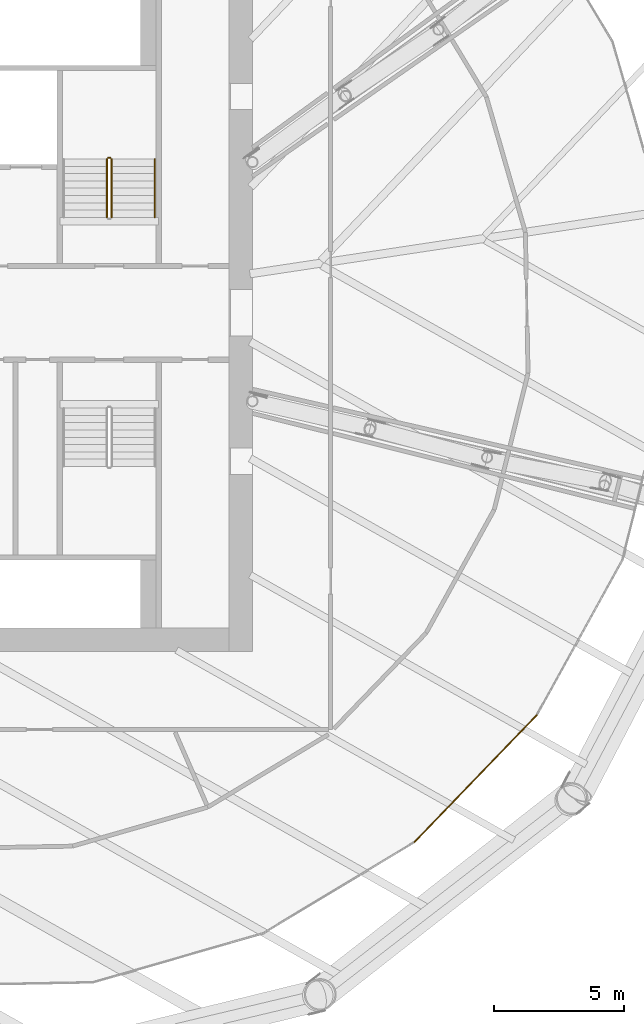
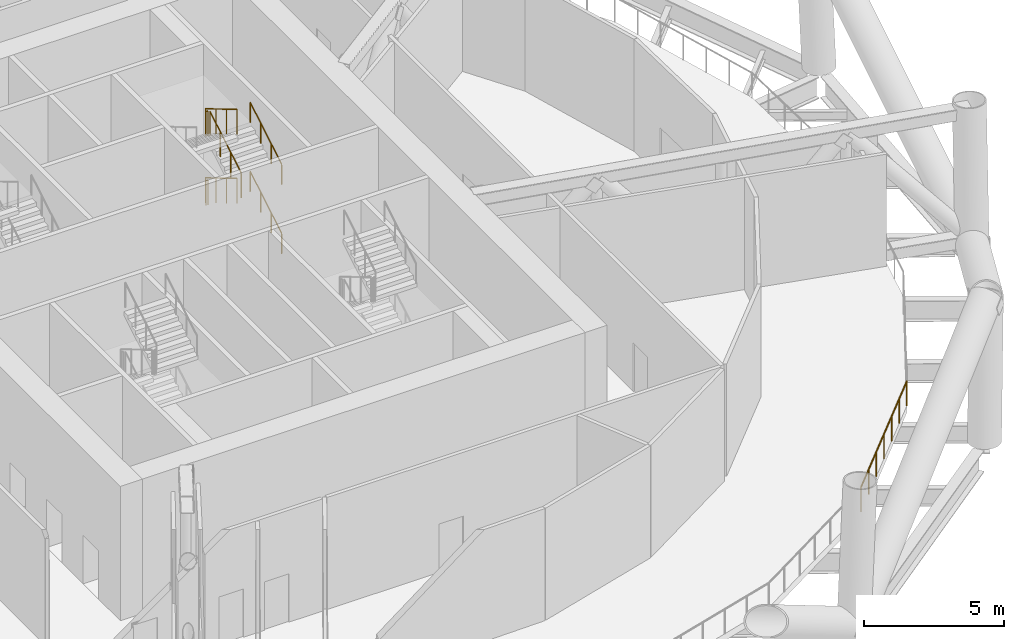
# One storey, part 36 of 39: 8 railings.
"""IFC4 building model written with IfcOpenShell, lengths in metres."""

from ifc_helpers import new_model, si_unit, direction, frame, origin, origin_2d, place, context, subcontext, project, spatial, circle, extrude, material, type_object, element, save


model = new_model("IFC4")

# Units and contexts
model_context = context("Model", 3, precision=1e-05, world=origin(), true_north=direction((0.0, 1.0)))
body_context = subcontext(model_context, "Body", "Model", "MODEL_VIEW")
ifc_project = project(units=[si_unit("LENGTHUNIT", "METRE"), si_unit("AREAUNIT", "SQUARE_METRE"), si_unit("VOLUMEUNIT", "CUBIC_METRE"), si_unit("PLANEANGLEUNIT", "RADIAN"), si_unit("MASSUNIT", "GRAM", prefix="KILO")], contexts=[model_context])

# Site, building, storey
site_placement = place(None, origin())
site = spatial("IfcSite", under=ifc_project, at=site_placement, CompositionType="ELEMENT")
building_placement = place(site_placement, origin())
building = spatial("IfcBuilding", under=site, at=building_placement, Name="Tarsis Ring Headquarters", CompositionType="ELEMENT")
storey_placement = place(building_placement, frame((0.0, 0.0, 86.800048828125)))
storey = spatial("IfcBuildingStorey", under=building, at=storey_placement, Name="L19", CompositionType="ELEMENT", Elevation=86.800048828125)

# Railings
ifc_material_1 = material(Name="Steel S355", Category="steel")
railing_type_1 = type_object("IfcRailingType", Name="Core stair guard 1100", PredefinedType="GUARDRAIL", material=ifc_material_1)
railing_1_placement = place(storey_placement, frame((4.5400390625, 5.949951171875, 1.5)))
element("IfcRailing", 1, at=railing_1_placement, inside=storey, type_object=railing_type_1, Name="L19 ST2 stair guard 2", PredefinedType="GUARDRAIL", context=body_context, shape_type="SweptSolid", body=[
    extrude(circle(Radius=0.02392578125, at=origin_2d()), frame((0.0, 0.0, 1.076171875), z_axis=(-1.0, 0.0, 0.0), x_axis=(0.0, -1.0, 0.0)), (0.0, 0.0, 1.0), 0.080078125),
    extrude(circle(Radius=0.02099609375, at=origin_2d()), origin(), (0.0, 0.0, 1.0), 1.052001953125),
    extrude(circle(Radius=0.02099609375, at=origin_2d()), frame((-0.080078125, 0.0, 0.0)), (0.0, 0.0, 1.0), 1.052001953125),
])
railing_2_placement = place(storey_placement, frame((4.409912109375, 5.89990234375, 1.66650390625)))
element("IfcRailing", 2, at=railing_2_placement, inside=storey, type_object=railing_type_1, Name="L19 ST2 stair guard 3", PredefinedType="GUARDRAIL", context=body_context, shape_type="SweptSolid", body=[
    extrude(circle(Radius=0.02392578125, at=origin_2d()), frame((0.0, 0.0, 1.076171875), z_axis=(0.0, -0.859264461869, 0.511531606619), x_axis=(1.0, 0.0, 0.0)), (0.0, 0.0, 1.0), 2.60693359375),
    extrude(circle(Radius=0.02099609375, at=origin_2d()), origin(), (0.0, 0.0, 1.0), 1.052001953125),
    extrude(circle(Radius=0.02099609375, at=origin_2d()), frame((0.0, -0.74658203125, 0.444580078125)), (0.0, 0.0, 1.0), 1.052001953125),
    extrude(circle(Radius=0.02099609375, at=origin_2d()), frame((0.0, -1.493408203125, 0.888916015625)), (0.0, 0.0, 1.0), 1.052001953125),
    extrude(circle(Radius=0.02099609375, at=origin_2d()), frame((0.0, -2.239990234375, 1.33349609375)), (0.0, 0.0, 1.0), 1.052001953125),
])
railing_3_placement = place(storey_placement, frame((4.590087890625, 3.659912109375, 3.16650390625)))
element("IfcRailing", 3, at=railing_3_placement, inside=storey, type_object=railing_type_1, Name="L19 ST2 stair guard 5", PredefinedType="GUARDRAIL", context=body_context, shape_type="SweptSolid", body=[
    extrude(circle(Radius=0.02392578125, at=origin_2d()), frame((0.0, 0.0, 1.076171875), z_axis=(0.0, 0.859264461869, 0.511531606619), x_axis=(-1.0, 0.0, 0.0)), (0.0, 0.0, 1.0), 2.60693359375),
    extrude(circle(Radius=0.02099609375, at=origin_2d()), origin(), (0.0, 0.0, 1.0), 1.052001953125),
    extrude(circle(Radius=0.02099609375, at=origin_2d()), frame((0.0, 0.74658203125, 0.444580078125)), (0.0, 0.0, 1.0), 1.052001953125),
    extrude(circle(Radius=0.02099609375, at=origin_2d()), frame((0.0, 1.493408203125, 0.888916015625)), (0.0, 0.0, 1.0), 1.052001953125),
    extrude(circle(Radius=0.02099609375, at=origin_2d()), frame((0.0, 2.239990234375, 1.33349609375)), (0.0, 0.0, 1.0), 1.052001953125),
])
railing_4_placement = place(storey_placement, frame((4.5400390625, 5.949951171875, 4.5)))
element("IfcRailing", 4, at=railing_4_placement, inside=storey, type_object=railing_type_1, Name="L19 ST2 stair guard 6", PredefinedType="GUARDRAIL", context=body_context, shape_type="SweptSolid", body=[
    extrude(circle(Radius=0.02392578125, at=origin_2d()), frame((0.0, 0.0, 1.076171875), z_axis=(-1.0, 0.0, 0.0), x_axis=(0.0, -1.0, 0.0)), (0.0, 0.0, 1.0), 0.080078125),
    extrude(circle(Radius=0.02099609375, at=origin_2d()), origin(), (0.0, 0.0, 1.0), 1.052001953125),
    extrude(circle(Radius=0.02099609375, at=origin_2d()), frame((-0.080078125, 0.0, 0.0)), (0.0, 0.0, 1.0), 1.052001953125),
])
railing_5_placement = place(storey_placement, frame((4.409912109375, 5.89990234375, 4.66650390625)))
element("IfcRailing", 5, at=railing_5_placement, inside=storey, type_object=railing_type_1, Name="L19 ST2 stair guard 7", PredefinedType="GUARDRAIL", context=body_context, shape_type="SweptSolid", body=[
    extrude(circle(Radius=0.02392578125, at=origin_2d()), frame((0.0, 0.0, 1.076171875), z_axis=(0.0, -0.859264461869, 0.511531606619), x_axis=(1.0, 0.0, 0.0)), (0.0, 0.0, 1.0), 2.60693359375),
    extrude(circle(Radius=0.02099609375, at=origin_2d()), origin(), (0.0, 0.0, 1.0), 1.052001953125),
    extrude(circle(Radius=0.02099609375, at=origin_2d()), frame((0.0, -0.74658203125, 0.444580078125)), (0.0, 0.0, 1.0), 1.052001953125),
    extrude(circle(Radius=0.02099609375, at=origin_2d()), frame((0.0, -1.493408203125, 0.888916015625)), (0.0, 0.0, 1.0), 1.052001953125),
    extrude(circle(Radius=0.02099609375, at=origin_2d()), frame((0.0, -2.239990234375, 1.33349609375)), (0.0, 0.0, 1.0), 1.052001953125),
])
railing_type_2 = type_object("IfcRailingType", Name="Core stair handrail 900", PredefinedType="HANDRAIL", material=ifc_material_1)
for number, where, name in (
    (6, (6.25, 3.659912109375, 0.16650390625), "L19 ST2 stair handrail 1"),
    (7, (6.25, 3.659912109375, 3.16650390625), "L19 ST2 stair handrail 3"),
):
    element("IfcRailing", number, at=place(storey_placement, frame(where)), inside=storey, type_object=railing_type_2, Name=name, PredefinedType="HANDRAIL", context=body_context, shape_type="SweptSolid", body=[
        extrude(circle(Radius=0.02392578125, at=origin_2d()), frame((0.0, 0.0, 0.8759765625), z_axis=(0.0, 0.859264461869, 0.511531606619), x_axis=(-1.0, 0.0, 0.0)), (0.0, 0.0, 1.0), 2.60693359375),
        extrude(circle(Radius=0.02099609375, at=origin_2d()), origin(), (0.0, 0.0, 1.0), 0.851806640625),
        extrude(circle(Radius=0.02099609375, at=origin_2d()), frame((0.0, 0.74658203125, 0.444580078125)), (0.0, 0.0, 1.0), 0.851806640625),
        extrude(circle(Radius=0.02099609375, at=origin_2d()), frame((0.0, 1.493408203125, 0.888916015625)), (0.0, 0.0, 1.0), 0.851806640625),
        extrude(circle(Radius=0.02099609375, at=origin_2d()), frame((0.0, 2.239990234375, 1.33349609375)), (0.0, 0.0, 1.0), 0.851806640625),
    ])
ifc_material_2 = material(Name="Stainless steel guard", Category="steel")
railing_type_3 = type_object("IfcRailingType", Name="Guard rail with mesh infill 1100", PredefinedType="GUARDRAIL", material=ifc_material_2)
railing_6_placement = place(storey_placement, frame((16.2138671875, -20.3251953125, 0.0)))
element("IfcRailing", 8, at=railing_6_placement, inside=storey, type_object=railing_type_3, Name="Guard L19-20", PredefinedType="GUARDRAIL", context=body_context, shape_type="SweptSolid", body=[
    extrude(circle(Radius=0.030029296875, at=origin_2d()), frame((0.0, 0.0, 1.070068359375), z_axis=(0.693654129409, 0.720308231768, 0.0), x_axis=(-0.720308231768, 0.693654129409, 0.0)), (0.0, 0.0, 1.0), 6.787353515625),
    extrude(circle(Radius=0.02490234375, at=origin_2d()), origin(), (0.0, 0.0, 1.0), 1.0400390625),
    extrude(circle(Radius=0.02490234375, at=origin_2d()), frame((0.78466796875, 0.81494140625, 0.0)), (0.0, 0.0, 1.0), 1.0400390625),
    extrude(circle(Radius=0.02490234375, at=origin_2d()), frame((1.5693359375, 1.629638671875, 0.0)), (0.0, 0.0, 1.0), 1.0400390625),
    extrude(circle(Radius=0.02490234375, at=origin_2d()), frame((2.35400390625, 2.4443359375, 0.0)), (0.0, 0.0, 1.0), 1.0400390625),
    extrude(circle(Radius=0.02490234375, at=origin_2d()), frame((3.138671875, 3.25927734375, 0.0)), (0.0, 0.0, 1.0), 1.0400390625),
    extrude(circle(Radius=0.02490234375, at=origin_2d()), frame((3.92333984375, 4.07421875, 0.0)), (0.0, 0.0, 1.0), 1.0400390625),
    extrude(circle(Radius=0.02490234375, at=origin_2d()), frame((4.7080078125, 4.888916015625, 0.0)), (0.0, 0.0, 1.0), 1.0400390625),
])

save(model, "model.ifc")
